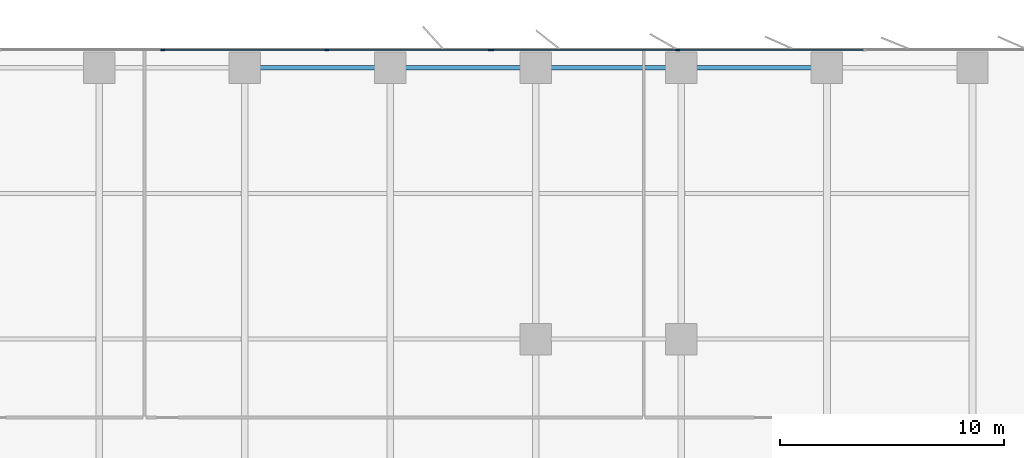
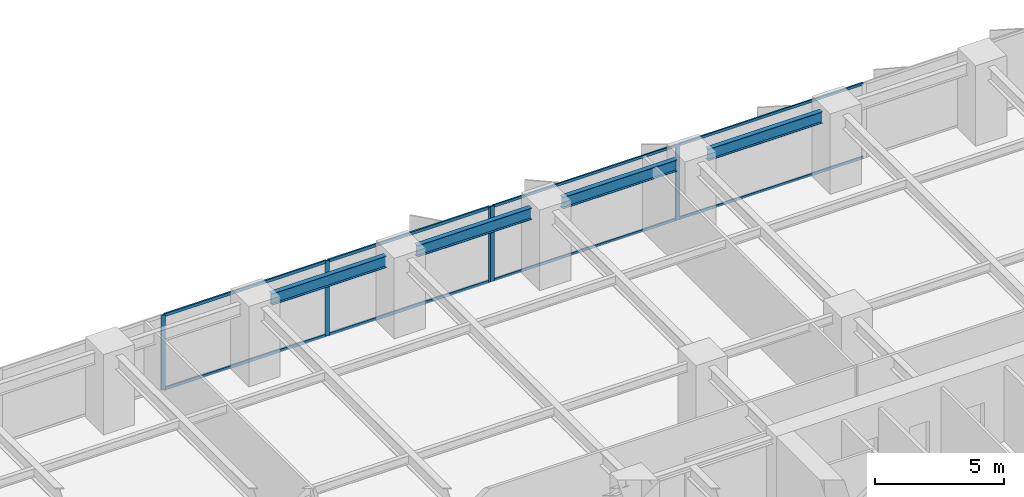
# One storey, part 9 of 20: 13 members, 4 beams, 2 elements without a shape of their own.
"""IFC4 building model written with IfcOpenShell, lengths in metres."""

from ifc_helpers import new_model, si_unit, direction, frame, origin, origin_2d, place, context, subcontext, project, spatial, rectangle, i_section, extrude, material, layer, layer_set, material_profile, profile_set, type_object, element, aggregate, save


model = new_model("IFC4")

# Units and contexts
model_context = context("Model", 3, precision=1e-05, world=origin(), true_north=direction((0.0, 1.0)))
body_context = subcontext(model_context, "Body", "Model", "MODEL_VIEW")
ifc_project = project(units=[si_unit("LENGTHUNIT", "METRE"), si_unit("AREAUNIT", "SQUARE_METRE"), si_unit("VOLUMEUNIT", "CUBIC_METRE"), si_unit("PLANEANGLEUNIT", "RADIAN"), si_unit("MASSUNIT", "GRAM", prefix="KILO")], contexts=[model_context])

# Site, building, storey
site_placement = place(None, origin())
site = spatial("IfcSite", under=ifc_project, at=site_placement, CompositionType="ELEMENT")
building_placement = place(site_placement, origin())
building = spatial("IfcBuilding", under=site, at=building_placement, Name="Putna Gate Headquarters", CompositionType="ELEMENT")
storey_placement = place(building_placement, frame((0.0, 0.0, 69.60009765625)))
storey = spatial("IfcBuildingStorey", under=building, at=storey_placement, Name="L16", CompositionType="ELEMENT", Elevation=69.60009765625)

# Beams
ifc_material_1 = material(Name="Steel S355J2", Category="steel")
ifc_material_profile_1 = material_profile(ifc_material_1, i_section(OverallWidth=0.2099609375, OverallDepth=0.550048828125, WebThickness=0.010986328125, FlangeThickness=0.01708984375, at=origin_2d()), Name="Steel S355J2")
ifc_profile_set_1 = profile_set([ifc_material_profile_1], Name="Steel S355J2")
beam_type = type_object("IfcBeamType", Name="BM-SPAN-Z1-IPE550", PredefinedType="SPANDREL", material=ifc_profile_set_1)
for number, where, z_axis, x_axis, name in (
    (1, (39.68798828125, 51.1201171875, 3.27490234375), (1.0, 0.0, 0.0), (0.0, 1.0, 0.0), "L16 N Perimeter Spandrel 6"),
    (2, (46.18798828125, 51.1201171875, 3.27490234375), (1.0, 0.0, 0.0), (0.0, 1.0, 0.0), "L16 N Perimeter Spandrel 7"),
    (3, (52.68798828125, 51.1201171875, 3.27490234375), (1.0, 0.0, 0.0), (0.0, 1.0, 0.0), "L16 N Perimeter Spandrel 8"),
    (4, (59.18798828125, 51.1201171875, 3.27490234375), (1.0, 0.0, 0.0), (0.0, 1.0, 0.0), "L16 N Perimeter Spandrel 9"),
):
    element("IfcBeam", number, at=place(storey_placement, frame(where, z_axis=z_axis, x_axis=x_axis)), inside=storey, type_object=beam_type, Name=name, PredefinedType="SPANDREL", context=body_context, shape_type="SweptSolid", body=[
        extrude(i_section(OverallWidth=0.2099609375, OverallDepth=0.550048828125, WebThickness=0.010986328125, FlangeThickness=0.01708984375, at=origin_2d()), origin(), (0.0, 0.0, 1.0), 5.1240234375),
    ])

# Curtain wall, members
ifc_material_2 = material(Name="Anodised bronze aluminium curtain wall", Category="aluminium")
ifc_layer_1 = layer(ifc_material_2, 0.179931640625)
ifc_layer_set_1 = layer_set([ifc_layer_1], Name="Anodised bronze aluminium curtain wall")
curtain_wall_type_1 = type_object("IfcCurtainWallType", Name="CW-SYS-Z1", PredefinedType="USERDEFINED", material=ifc_layer_set_1)
curtain_wall_1_placement = place(storey_placement, origin())
curtain_wall_1 = element("IfcCurtainWall", 5, at=curtain_wall_1_placement, inside=storey, type_object=curtain_wall_type_1, Name="L16 North East Curtain Wall", ObjectType="STICK CURTAIN WALL", PredefinedType="USERDEFINED")
ifc_material_3 = material(Name="Anodised bronze aluminium EN AW-6060", Category="aluminium")
ifc_material_profile_2 = material_profile(ifc_material_3, rectangle(XDim=0.070068359375, YDim=0.179931640625, at=origin_2d()), Name="Anodised bronze aluminium EN AW-6060")
ifc_profile_set_2 = profile_set([ifc_material_profile_2], Name="Anodised bronze aluminium EN AW-6060")
member_type_1 = type_object("IfcMemberType", Name="MULL-CWM-1", PredefinedType="MULLION", material=ifc_profile_set_2)
member_1_placement = place(storey_placement, frame((50.034912109375, 51.919921875, 0.0), z_axis=(0.0, 0.0, 1.0), x_axis=(0.0, 1.0, 0.0)))
member_1 = element("IfcMember", 6, at=member_1_placement, type_object=member_type_1, Name="CWS-1 mullion 1", PredefinedType="MULLION", context=body_context, shape_type="SweptSolid", body=[
    extrude(rectangle(XDim=0.070068359375, YDim=0.179931640625, at=origin_2d()), origin(), (0.0, 0.0, 1.0), 3.5498046875),
])
member_2_placement = place(storey_placement, frame((58.333251953125, 51.919921875, 0.0), z_axis=(0.0, 0.0, 1.0), x_axis=(0.0, 1.0, 0.0)))
member_2 = element("IfcMember", 7, at=member_2_placement, type_object=member_type_1, Name="CWS-1 mullion 2", PredefinedType="MULLION", context=body_context, shape_type="SweptSolid", body=[
    extrude(rectangle(XDim=0.070068359375, YDim=0.179931640625, at=origin_2d()), origin(), (0.0, 0.0, 1.0), 3.5498046875),
])

ifc_layer_2 = layer(ifc_material_2, 0.179931640625)
ifc_layer_set_2 = layer_set([ifc_layer_2], Name="Anodised bronze aluminium curtain wall")
curtain_wall_type_2 = type_object("IfcCurtainWallType", Name="CW-SYS-ATR", PredefinedType="USERDEFINED", material=ifc_layer_set_2)
curtain_wall_2_placement = place(storey_placement, origin())
curtain_wall_2 = element("IfcCurtainWall", 8, at=curtain_wall_2_placement, inside=storey, type_object=curtain_wall_type_2, Name="L16 North Atrium Clear Glazing", ObjectType="ATRIUM GLAZING", PredefinedType="USERDEFINED")
ifc_material_profile_3 = material_profile(ifc_material_3, rectangle(XDim=0.070068359375, YDim=0.179931640625, at=origin_2d()), Name="Anodised bronze aluminium EN AW-6060")
ifc_profile_set_3 = profile_set([ifc_material_profile_3], Name="Anodised bronze aluminium EN AW-6060")
member_type_2 = type_object("IfcMemberType", Name="MULL-CWM-AT", PredefinedType="MULLION", material=ifc_profile_set_3)
member_3_placement = place(storey_placement, frame((35.333251953125, 51.919921875, 0.0), z_axis=(0.0, 0.0, 1.0), x_axis=(0.0, 1.0, 0.0)))
member_3 = element("IfcMember", 9, at=member_3_placement, type_object=member_type_2, Name="CWS-AT mullion 2", PredefinedType="MULLION", context=body_context, shape_type="SweptSolid", body=[
    extrude(rectangle(XDim=0.070068359375, YDim=0.179931640625, at=origin_2d()), origin(), (0.0, 0.0, 1.0), 3.5498046875),
])
member_4_placement = place(storey_placement, frame((42.666748046875, 51.919921875, 0.0), z_axis=(0.0, 0.0, 1.0), x_axis=(0.0, 1.0, 0.0)))
member_4 = element("IfcMember", 10, at=member_4_placement, type_object=member_type_2, Name="CWS-AT mullion 3", PredefinedType="MULLION", context=body_context, shape_type="SweptSolid", body=[
    extrude(rectangle(XDim=0.070068359375, YDim=0.179931640625, at=origin_2d()), origin(), (0.0, 0.0, 1.0), 3.5498046875),
])
member_5_placement = place(storey_placement, frame((49.965087890625, 51.919921875, 0.0), z_axis=(0.0, 0.0, 1.0), x_axis=(0.0, 1.0, 0.0)))
member_5 = element("IfcMember", 11, at=member_5_placement, type_object=member_type_2, Name="CWS-AT mullion 4", PredefinedType="MULLION", context=body_context, shape_type="SweptSolid", body=[
    extrude(rectangle(XDim=0.070068359375, YDim=0.179931640625, at=origin_2d()), origin(), (0.0, 0.0, 1.0), 3.5498046875),
])

# Member
ifc_material_profile_4 = material_profile(ifc_material_3, rectangle(XDim=0.06494140625, YDim=0.1201171875, at=origin_2d()), Name="Anodised bronze aluminium EN AW-6060")
ifc_profile_set_4 = profile_set([ifc_material_profile_4], Name="Anodised bronze aluminium EN AW-6060")
member_type_3 = type_object("IfcMemberType", Name="TRAN-CWT-1", PredefinedType="USERDEFINED", material=ifc_profile_set_4)
member_6_placement = place(storey_placement, frame((50.070068359375, 51.919921875, 0.032470703125), z_axis=(1.0, 0.0, 0.0), x_axis=(0.0, 1.0, 0.0)))
member_6 = element("IfcMember", 12, at=member_6_placement, type_object=member_type_3, Name="CWS-1 transom 1.1", ObjectType="TRANSOM", PredefinedType="USERDEFINED", context=body_context, shape_type="SweptSolid", body=[
    extrude(rectangle(XDim=0.06494140625, YDim=0.1201171875, at=origin_2d()), origin(), (0.0, 0.0, 1.0), 8.228271484375),
])

member_7_placement = place(storey_placement, frame((50.070068359375, 51.919921875, 3.517333984375), z_axis=(1.0, 0.0, 0.0), x_axis=(0.0, 1.0, 0.0)))
member_7 = element("IfcMember", 13, at=member_7_placement, type_object=member_type_3, Name="CWS-1 transom 1.2", ObjectType="TRANSOM", PredefinedType="USERDEFINED", context=body_context, shape_type="SweptSolid", body=[
    extrude(rectangle(XDim=0.06494140625, YDim=0.1201171875, at=origin_2d()), origin(), (0.0, 0.0, 1.0), 8.228271484375),
])

member_8_placement = place(storey_placement, frame((58.368408203125, 51.919921875, 0.032470703125), z_axis=(1.0, 0.0, 0.0), x_axis=(0.0, 1.0, 0.0)))
member_8 = element("IfcMember", 14, at=member_8_placement, type_object=member_type_3, Name="CWS-1 transom 2.1", ObjectType="TRANSOM", PredefinedType="USERDEFINED", context=body_context, shape_type="SweptSolid", body=[
    extrude(rectangle(XDim=0.06494140625, YDim=0.1201171875, at=origin_2d()), origin(), (0.0, 0.0, 1.0), 8.26318359375),
])

member_9_placement = place(storey_placement, frame((58.368408203125, 51.919921875, 3.517333984375), z_axis=(1.0, 0.0, 0.0), x_axis=(0.0, 1.0, 0.0)))
member_9 = element("IfcMember", 15, at=member_9_placement, type_object=member_type_3, Name="CWS-1 transom 2.2", ObjectType="TRANSOM", PredefinedType="USERDEFINED", context=body_context, shape_type="SweptSolid", body=[
    extrude(rectangle(XDim=0.06494140625, YDim=0.1201171875, at=origin_2d()), origin(), (0.0, 0.0, 1.0), 8.26318359375),
])

aggregate(curtain_wall_1, [member_1, member_2, member_6, member_7, member_8, member_9])

ifc_material_profile_5 = material_profile(ifc_material_3, rectangle(XDim=0.070068359375, YDim=0.139892578125, at=origin_2d()), Name="Anodised bronze aluminium EN AW-6060")
ifc_profile_set_5 = profile_set([ifc_material_profile_5], Name="Anodised bronze aluminium EN AW-6060")
member_type_4 = type_object("IfcMemberType", Name="TRAN-CWT-AT", PredefinedType="USERDEFINED", material=ifc_profile_set_5)
member_10_placement = place(storey_placement, frame((35.368408203125, 51.919921875, 0.034912109375), z_axis=(1.0, 0.0, 0.0), x_axis=(0.0, 1.0, 0.0)))
member_10 = element("IfcMember", 16, at=member_10_placement, type_object=member_type_4, Name="CWS-AT transom 2.1", ObjectType="TRANSOM", PredefinedType="USERDEFINED", context=body_context, shape_type="SweptSolid", body=[
    extrude(rectangle(XDim=0.070068359375, YDim=0.139892578125, at=origin_2d()), origin(), (0.0, 0.0, 1.0), 7.26318359375),
])

member_11_placement = place(storey_placement, frame((35.368408203125, 51.919921875, 3.514892578125), z_axis=(1.0, 0.0, 0.0), x_axis=(0.0, 1.0, 0.0)))
member_11 = element("IfcMember", 17, at=member_11_placement, type_object=member_type_4, Name="CWS-AT transom 2.2", ObjectType="TRANSOM", PredefinedType="USERDEFINED", context=body_context, shape_type="SweptSolid", body=[
    extrude(rectangle(XDim=0.070068359375, YDim=0.139892578125, at=origin_2d()), origin(), (0.0, 0.0, 1.0), 7.26318359375),
])

member_12_placement = place(storey_placement, frame((42.70166015625, 51.919921875, 0.034912109375), z_axis=(1.0, 0.0, 0.0), x_axis=(0.0, 1.0, 0.0)))
member_12 = element("IfcMember", 18, at=member_12_placement, type_object=member_type_4, Name="CWS-AT transom 3.1", ObjectType="TRANSOM", PredefinedType="USERDEFINED", context=body_context, shape_type="SweptSolid", body=[
    extrude(rectangle(XDim=0.070068359375, YDim=0.139892578125, at=origin_2d()), origin(), (0.0, 0.0, 1.0), 7.228271484375),
])

member_13_placement = place(storey_placement, frame((42.70166015625, 51.919921875, 3.514892578125), z_axis=(1.0, 0.0, 0.0), x_axis=(0.0, 1.0, 0.0)))
member_13 = element("IfcMember", 19, at=member_13_placement, type_object=member_type_4, Name="CWS-AT transom 3.2", ObjectType="TRANSOM", PredefinedType="USERDEFINED", context=body_context, shape_type="SweptSolid", body=[
    extrude(rectangle(XDim=0.070068359375, YDim=0.139892578125, at=origin_2d()), origin(), (0.0, 0.0, 1.0), 7.228271484375),
])

aggregate(curtain_wall_2, [member_3, member_4, member_5, member_10, member_11, member_12, member_13])

save(model, "model.ifc")
